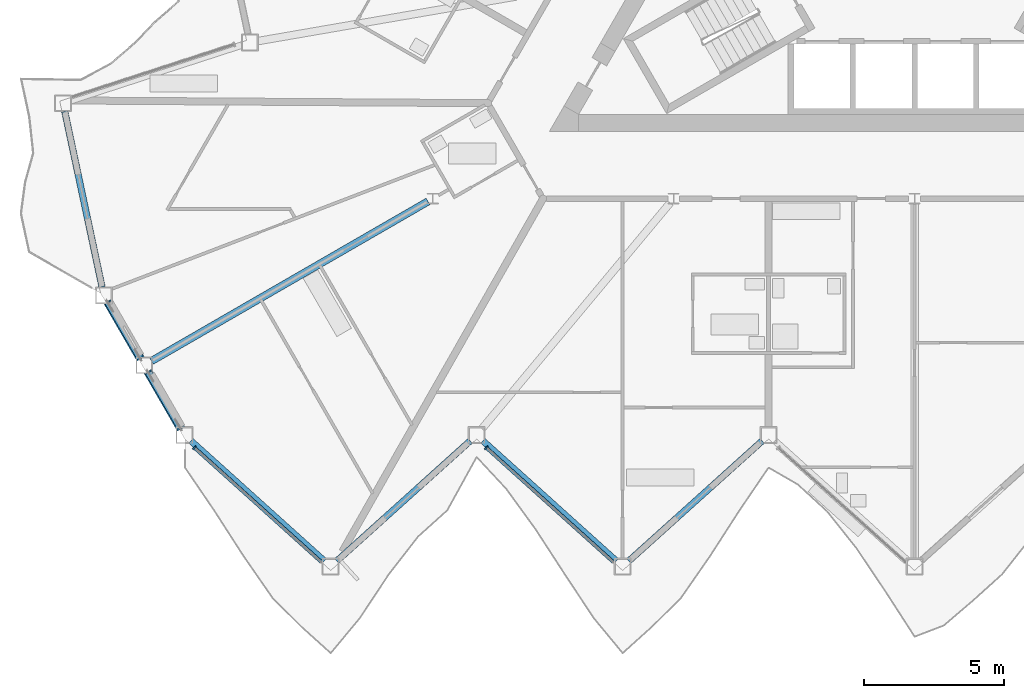
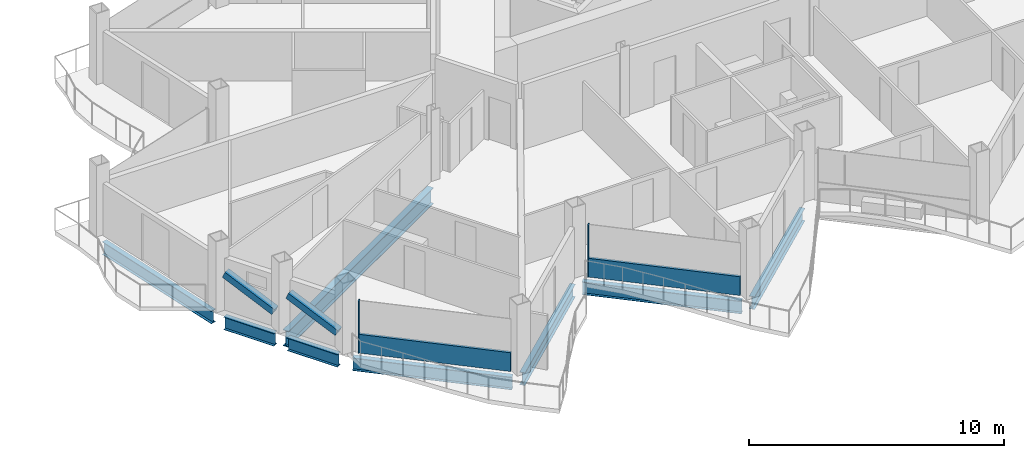
# One storey, part 4 of 26: 8 beams, 6 members, 2 elements without a shape of their own.
"""IFC4 building model written with IfcOpenShell, lengths in metres."""

from ifc_helpers import new_model, si_unit, direction, frame, origin, origin_2d, place, context, subcontext, project, spatial, rectangle, hollow_rectangle, i_section, extrude, material, layer, layer_set, material_profile, profile_set, type_object, element, aggregate, save


model = new_model("IFC4")

# Units and contexts
model_context = context("Model", 3, precision=1e-05, world=origin(), true_north=direction((0.0, 1.0)))
body_context = subcontext(model_context, "Body", "Model", "MODEL_VIEW")
ifc_project = project(units=[si_unit("LENGTHUNIT", "METRE"), si_unit("AREAUNIT", "SQUARE_METRE"), si_unit("VOLUMEUNIT", "CUBIC_METRE"), si_unit("PLANEANGLEUNIT", "RADIAN"), si_unit("MASSUNIT", "GRAM", prefix="KILO")], contexts=[model_context])

# Site, building, storey
site_placement = place(None, origin())
site = spatial("IfcSite", under=ifc_project, at=site_placement, CompositionType="ELEMENT")
building_placement = place(site_placement, origin())
building = spatial("IfcBuilding", under=site, at=building_placement, Name="Cormorant Prow Tower", CompositionType="ELEMENT")
storey_placement = place(building_placement, frame((0.0, 0.0, 339.199951171875)))
storey = spatial("IfcBuildingStorey", under=building, at=storey_placement, Name="L76", CompositionType="ELEMENT", Elevation=339.199951171875)

# Members
ifc_material_1 = material(Name="Structural steel ASTM A500 Gr C", Category="steel")
ifc_material_profile_1 = material_profile(ifc_material_1, hollow_rectangle(XDim=0.3046875, YDim=0.3046875, WallThickness=0.01171875, at=origin_2d()), Name="HSS12x12x1/2")
ifc_profile_set_1 = profile_set([ifc_material_profile_1], Name="Structural steel ASTM A500 Gr C")
member_type_1 = type_object("IfcMemberType", Name="Chamfer brace HSS12x12x1/2", PredefinedType="BRACE", material=ifc_profile_set_1)
for number, where, z_axis, x_axis, name in (
    (1, (-27.589599609375, -15.5654296875, 0.7412109375), (-0.456265706889, 0.790324476185, 0.408911759503), (-0.866038851724, -0.499976706761, 0.0), "Chamfer brace BR3 at WSW00 L76"),
    (2, (-26.15283203125, -18.05419921875, 0.7412109375), (-0.456265706889, 0.790324476185, 0.408911759503), (-0.866038851724, -0.499976706761, 0.0), "Chamfer brace BR3 at WSW01 L76"),
):
    element("IfcMember", number, at=place(storey_placement, frame(where, z_axis=z_axis, x_axis=x_axis)), inside=storey, type_object=member_type_1, Name=name, PredefinedType="BRACE", context=body_context, shape_type="SweptSolid", body=[
        extrude(hollow_rectangle(XDim=0.3046875, YDim=0.3046875, WallThickness=0.01171875, at=origin_2d()), origin(), (0.0, 0.0, 1.0), 2.459228515625),
    ])

# Beam
ifc_material_2 = material(Name="Structural steel ASTM A992 Gr 50", Category="steel")
ifc_material_profile_2 = material_profile(ifc_material_2, i_section(OverallWidth=0.267822265625, OverallDepth=0.77001953125, WebThickness=0.015625, FlangeThickness=0.025390625, at=origin_2d()), Name="W30x132")
ifc_profile_set_2 = profile_set([ifc_material_profile_2], Name="Structural steel ASTM A992 Gr 50")
beam_type_1 = type_object("IfcBeamType", Name="Radial floor beam W30x132", PredefinedType="BEAM", material=ifc_profile_set_2)
beam_1_placement = place(storey_placement, frame((-17.328125, -10.00439453125, -0.684814453125), z_axis=(-0.866024637028, -0.500001328059, 0.0), x_axis=(0.500001328059, -0.866024637028, 0.0)))
element("IfcBeam", 3, at=beam_1_placement, inside=storey, type_object=beam_type_1, Name="Radial floor beam FB3 5 L76", PredefinedType="BEAM", context=body_context, shape_type="SweptSolid", body=[
    extrude(i_section(OverallWidth=0.267822265625, OverallDepth=0.77001953125, WebThickness=0.015625, FlangeThickness=0.025390625, at=origin_2d()), origin(), (0.0, 0.0, 1.0), 11.3671875),
])

# Curtain wall, member
ifc_material_3 = material(Name="Aluminium 6063-T6", Category="aluminium")
ifc_layer = layer(ifc_material_3, 0.159912109375)
ifc_layer_set = layer_set([ifc_layer], Name="Aluminium 6063-T6")
curtain_wall_type = type_object("IfcCurtainWallType", Name="Residential unitised curtain wall 160", PredefinedType="NOTDEFINED", material=ifc_layer_set)
curtain_wall_1_placement = place(storey_placement, origin())
curtain_wall_1 = element("IfcCurtainWall", 4, at=curtain_wall_1_placement, inside=storey, type_object=curtain_wall_type, Name="Residential curtain wall S00", PredefinedType="NOTDEFINED")
ifc_material_4 = material(Name="Aluminium 6063-T6", Category="aluminium")
ifc_material_profile_3 = material_profile(ifc_material_4, rectangle(XDim=0.159912109375, YDim=0.050048828125, at=origin_2d()), Name="Residential mullion 50x160")
ifc_profile_set_3 = profile_set([ifc_material_profile_3], Name="Aluminium 6063-T6")
member_type_2 = type_object("IfcMemberType", Name="Residential mullion 50x160", PredefinedType="MULLION", material=ifc_profile_set_3)
member_1_placement = place(storey_placement, frame((-25.646484375, -18.772705078125, 0.0), z_axis=(0.0, 0.0, 1.0), x_axis=(0.669130659174, 0.743144777922, 0.0)))
member_1 = element("IfcMember", 5, at=member_1_placement, type_object=member_type_2, Name="Residential mullion S00", PredefinedType="MULLION", context=body_context, shape_type="SweptSolid", body=[
    extrude(rectangle(XDim=0.159912109375, YDim=0.050048828125, at=origin_2d()), origin(), (0.0, 0.0, 1.0), 2.488037109375),
])

curtain_wall_2_placement = place(storey_placement, origin())
curtain_wall_2 = element("IfcCurtainWall", 6, at=curtain_wall_2_placement, inside=storey, type_object=curtain_wall_type, Name="Residential curtain wall S02", PredefinedType="NOTDEFINED")
member_2_placement = place(storey_placement, frame((-15.25146484375, -18.772705078125, 0.0), z_axis=(0.0, 0.0, 1.0), x_axis=(0.669130588071, 0.743144841944, 0.0)))
member_2 = element("IfcMember", 7, at=member_2_placement, type_object=member_type_2, Name="Residential mullion S02", PredefinedType="MULLION", context=body_context, shape_type="SweptSolid", body=[
    extrude(rectangle(XDim=0.159912109375, YDim=0.050048828125, at=origin_2d()), origin(), (0.0, 0.0, 1.0), 2.488037109375),
])

# Member
ifc_material_5 = material(Name="Terracotta", Category="masonry")
ifc_material_profile_4 = material_profile(ifc_material_5, rectangle(XDim=0.1201171875, YDim=0.89990234375, at=origin_2d()), Name="Residential terracotta spandrel rail 120x900")
ifc_profile_set_4 = profile_set([ifc_material_profile_4], Name="Terracotta")
member_type_3 = type_object("IfcMemberType", Name="Residential terracotta spandrel rail 120x900", PredefinedType="USERDEFINED", material=ifc_profile_set_4)
member_3_placement = place(storey_placement, frame((-25.6279296875, -18.789306640625, 0.449951171875), z_axis=(0.743144281997, -0.669131209954, 0.0), x_axis=(0.669131209954, 0.743144281997, 0.0)))
member_3 = element("IfcMember", 8, at=member_3_placement, type_object=member_type_3, Name="Residential spandrel rail S00", ObjectType="TRANSOM", PredefinedType="USERDEFINED", context=body_context, shape_type="SweptSolid", body=[
    extrude(rectangle(XDim=0.1201171875, YDim=0.89990234375, at=origin_2d()), origin(), (0.0, 0.0, 1.0), 6.075927734375),
])

aggregate(curtain_wall_1, [member_1, member_3])

member_4_placement = place(storey_placement, frame((-15.23291015625, -18.789306640625, 0.449951171875), z_axis=(0.743144281997, -0.669131209954, 0.0), x_axis=(0.669131209954, 0.743144281997, 0.0)))
member_4 = element("IfcMember", 9, at=member_4_placement, type_object=member_type_3, Name="Residential spandrel rail S02", ObjectType="TRANSOM", PredefinedType="USERDEFINED", context=body_context, shape_type="SweptSolid", body=[
    extrude(rectangle(XDim=0.1201171875, YDim=0.89990234375, at=origin_2d()), origin(), (0.0, 0.0, 1.0), 6.075927734375),
])

aggregate(curtain_wall_2, [member_2, member_4])

# Beams
ifc_material_6 = material(Name="Structural steel ASTM A992 Gr 50", Category="steel")
ifc_material_profile_5 = material_profile(ifc_material_6, i_section(OverallWidth=0.22900390625, OverallDepth=0.612060546875, WebThickness=0.011962890625, FlangeThickness=0.01953125, at=origin_2d()), Name="W24x84")
ifc_profile_set_5 = profile_set([ifc_material_profile_5], Name="Structural steel ASTM A992 Gr 50")
beam_type_2 = type_object("IfcBeamType", Name="Spandrel beam W24x84", PredefinedType="SPANDREL", material=ifc_profile_set_5)
beam_2_placement = place(storey_placement, frame((-25.7724609375, -18.527587890625, -0.60595703125), z_axis=(0.743144186555, -0.669131315954, 0.0), x_axis=(0.669131315954, 0.743144186555, 0.0)))
element("IfcBeam", 10, at=beam_2_placement, inside=storey, type_object=beam_type_2, Name="Spandrel beam SB3 S00-S01 L76", PredefinedType="SPANDREL", context=body_context, shape_type="SweptSolid", body=[
    extrude(i_section(OverallWidth=0.22900390625, OverallDepth=0.612060546875, WebThickness=0.011962890625, FlangeThickness=0.01953125, at=origin_2d()), origin(), (0.0, 0.0, 1.0), 6.39599609375),
])
beam_3_placement = place(storey_placement, frame((-20.573486328125, -22.807373046875, -0.60595703125), z_axis=(0.743161276225, 0.669112335502, 0.0), x_axis=(-0.669112335502, 0.743161276225, 0.0)))
element("IfcBeam", 11, at=beam_3_placement, inside=storey, type_object=beam_type_2, Name="Spandrel beam SB3 S01-S02 L76", PredefinedType="SPANDREL", context=body_context, shape_type="SweptSolid", body=[
    extrude(i_section(OverallWidth=0.22900390625, OverallDepth=0.612060546875, WebThickness=0.011962890625, FlangeThickness=0.01953125, at=origin_2d()), origin(), (0.0, 0.0, 1.0), 6.396240234375),
])
for number, where, z_axis, x_axis, name in (
    (12, (-15.374267578125, -18.527587890625, -0.60595703125), (0.743144186555, -0.669131315954, 0.0), (0.669131315954, 0.743144186555, 0.0), "Spandrel beam SB3 S02-S03 L76"),
    (13, (-10.17529296875, -22.807373046875, -0.60595703125), (0.743144186555, 0.669131315954, 0.0), (-0.669131315954, 0.743144186555, 0.0), "Spandrel beam SB3 S03-S04 L76"),
):
    element("IfcBeam", number, at=place(storey_placement, frame(where, z_axis=z_axis, x_axis=x_axis)), inside=storey, type_object=beam_type_2, Name=name, PredefinedType="SPANDREL", context=body_context, shape_type="SweptSolid", body=[
        extrude(i_section(OverallWidth=0.22900390625, OverallDepth=0.612060546875, WebThickness=0.011962890625, FlangeThickness=0.01953125, at=origin_2d()), origin(), (0.0, 0.0, 1.0), 6.39599609375),
    ])
beam_4_placement = place(storey_placement, frame((-30.261474609375, -6.799560546875, -0.60595703125), z_axis=(0.20791262393, -0.978147402394, 0.0), x_axis=(0.978147402394, 0.20791262393, 0.0)))
element("IfcBeam", 14, at=beam_4_placement, inside=storey, type_object=beam_type_2, Name="Spandrel beam SB3 WNW09-WSW00 L76", PredefinedType="SPANDREL", context=body_context, shape_type="SweptSolid", body=[
    extrude(i_section(OverallWidth=0.22900390625, OverallDepth=0.612060546875, WebThickness=0.011962890625, FlangeThickness=0.01953125, at=origin_2d()), origin(), (0.0, 0.0, 1.0), 6.396240234375),
])
beam_5_placement = place(storey_placement, frame((-28.71923828125, -13.609130859375, -0.60595703125), z_axis=(0.500053962254, -0.865994246421, 0.0), x_axis=(0.865994246421, 0.500053962254, 0.0)))
element("IfcBeam", 15, at=beam_5_placement, inside=storey, type_object=beam_type_2, Name="Spandrel beam SB3 WSW00-WSW01 L76", PredefinedType="SPANDREL", context=body_context, shape_type="SweptSolid", body=[
    extrude(i_section(OverallWidth=0.22900390625, OverallDepth=0.612060546875, WebThickness=0.011962890625, FlangeThickness=0.01953125, at=origin_2d()), origin(), (0.0, 0.0, 1.0), 2.273681640625),
])
beam_6_placement = place(storey_placement, frame((-27.2822265625, -16.097900390625, -0.60595703125), z_axis=(0.49997342893, -0.866040744055, 0.0), x_axis=(0.866040744055, 0.49997342893, 0.0)))
element("IfcBeam", 16, at=beam_6_placement, inside=storey, type_object=beam_type_2, Name="Spandrel beam SB3 WSW01-S00 L76", PredefinedType="SPANDREL", context=body_context, shape_type="SweptSolid", body=[
    extrude(i_section(OverallWidth=0.22900390625, OverallDepth=0.612060546875, WebThickness=0.011962890625, FlangeThickness=0.01953125, at=origin_2d()), origin(), (0.0, 0.0, 1.0), 2.2734375),
])

save(model, "model.ifc")
